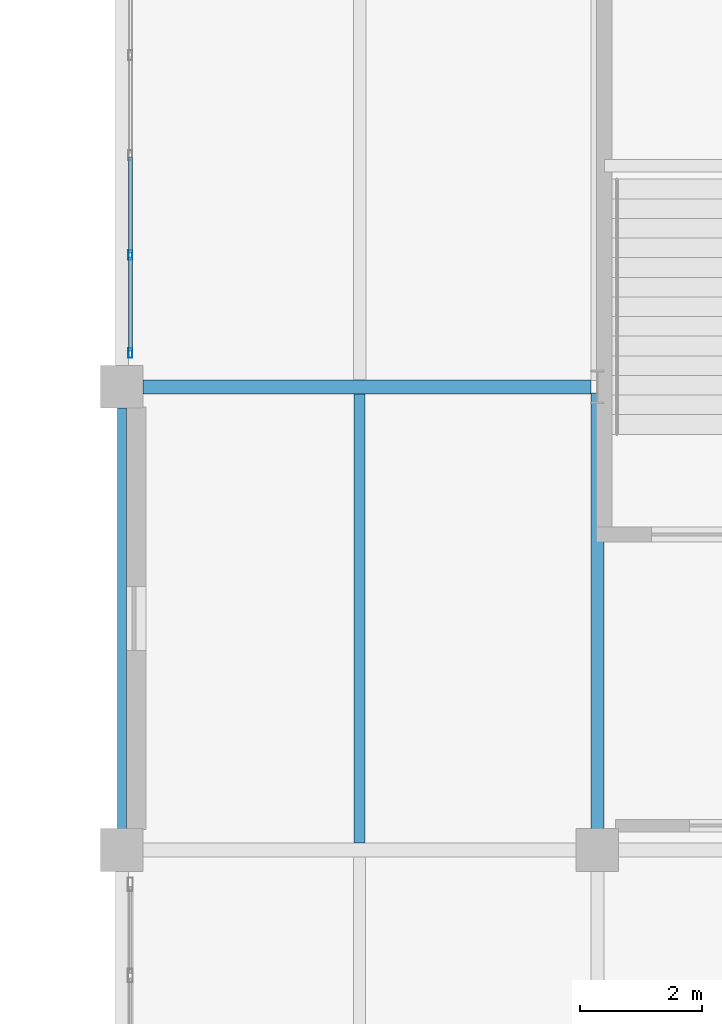
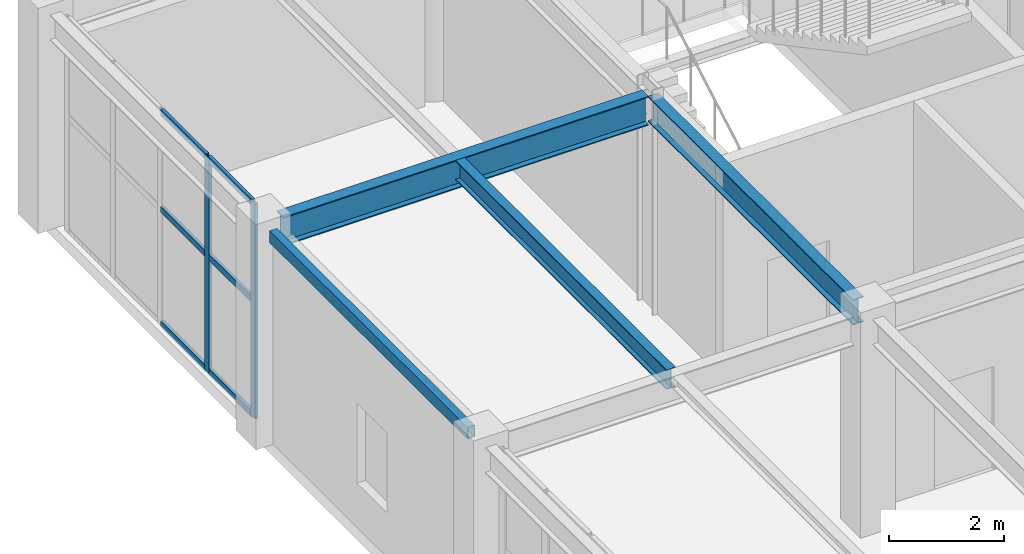
# One storey, part 35 of 72: 8 members, 4 beams, 1 element without a shape of its own.
"""IFC4 building model written with IfcOpenShell, lengths in metres."""

from ifc_helpers import new_model, si_unit, direction, frame, origin, origin_2d, place, context, subcontext, project, spatial, hollow_rectangle, i_section, extrude, material, layer, layer_set, material_profile, profile_set, type_object, element, aggregate, save


model = new_model("IFC4")

# Units and contexts
model_context = context("Model", 3, precision=1e-05, world=origin(), true_north=direction((0.0, 1.0)))
body_context = subcontext(model_context, "Body", "Model", "MODEL_VIEW")
ifc_project = project(units=[si_unit("LENGTHUNIT", "METRE"), si_unit("AREAUNIT", "SQUARE_METRE"), si_unit("VOLUMEUNIT", "CUBIC_METRE"), si_unit("PLANEANGLEUNIT", "RADIAN"), si_unit("MASSUNIT", "GRAM", prefix="KILO")], contexts=[model_context])

# Site, building, storey
site_placement = place(None, origin())
site = spatial("IfcSite", under=ifc_project, at=site_placement, CompositionType="ELEMENT")
building_placement = place(site_placement, origin())
building = spatial("IfcBuilding", under=site, at=building_placement, Name="Xicomal Pleat Aquarium", CompositionType="ELEMENT")
storey_placement = place(building_placement, frame((0.0, 0.0, 10.5)))
storey = spatial("IfcBuildingStorey", under=building, at=storey_placement, Name="L03", CompositionType="ELEMENT", Elevation=10.5)

# Beams
ifc_material_1 = material(Name="Structural steel A992 Gr 50", Category="steel")
ifc_material_profile_1 = material_profile(ifc_material_1, i_section(OverallWidth=0.180908203125, OverallDepth=0.4169921875, WebThickness=0.010986328125, FlangeThickness=0.018310546875, at=origin_2d()), Name="IR 410x85")
ifc_profile_set_1 = profile_set([ifc_material_profile_1], Name="Structural steel A992 Gr 50")
beam_type_1 = type_object("IfcBeamType", Name="BM-STL-IR410", PredefinedType="JOIST", material=ifc_profile_set_1)
beam_1_placement = place(storey_placement, frame((137.699951171875, 15.318115234375, 4.366455078125), z_axis=(0.0, 1.0, 0.0), x_axis=(-1.0, 0.0, 0.0)))
element("IfcBeam", 1, at=beam_1_placement, inside=storey, type_object=beam_type_1, Name="L03 framing beam FBJ-L03-17-C-1", PredefinedType="JOIST", context=body_context, shape_type="SweptSolid", body=[
    extrude(i_section(OverallWidth=0.180908203125, OverallDepth=0.4169921875, WebThickness=0.010986328125, FlangeThickness=0.018310546875, at=origin_2d()), origin(), (0.0, 0.0, 1.0), 7.36376953125),
])
ifc_material_2 = material(Name="Structural steel A992 Gr 50", Category="steel")
ifc_material_profile_2 = material_profile(ifc_material_2, i_section(OverallWidth=0.2119140625, OverallDepth=0.5439453125, WebThickness=0.01318359375, FlangeThickness=0.021240234375, at=origin_2d()), Name="IR 530x123")
ifc_profile_set_2 = profile_set([ifc_material_profile_2], Name="Structural steel A992 Gr 50")
beam_type_2 = type_object("IfcBeamType", Name="BM-STL-IR530", PredefinedType="BEAM", material=ifc_profile_set_2)
beam_2_placement = place(storey_placement, frame((141.60009765625, 15.544921875, 4.302978515625), z_axis=(0.0, 1.0, 0.0), x_axis=(-1.0, 0.0, 0.0)))
element("IfcBeam", 2, at=beam_2_placement, inside=storey, type_object=beam_type_2, Name="L03 framing beam FGY-L03-18-C-D", PredefinedType="BEAM", context=body_context, shape_type="SweptSolid", body=[
    extrude(i_section(OverallWidth=0.2119140625, OverallDepth=0.5439453125, WebThickness=0.01318359375, FlangeThickness=0.021240234375, at=origin_2d()), origin(), (0.0, 0.0, 1.0), 7.154052734375),
])
ifc_material_3 = material(Name="Structural steel A992 Gr 50", Category="steel")
ifc_material_profile_3 = material_profile(ifc_material_3, i_section(OverallWidth=0.22998046875, OverallDepth=0.616943359375, WebThickness=0.01318359375, FlangeThickness=0.022216796875, at=origin_2d()), Name="IR 610x140")
ifc_profile_set_3 = profile_set([ifc_material_profile_3], Name="Structural steel A992 Gr 50")
beam_type_3 = type_object("IfcBeamType", Name="BM-STL-IR610", PredefinedType="BEAM", material=ifc_profile_set_3)
beam_3_placement = place(storey_placement, frame((134.14501953125, 22.800048828125, 4.2666015625), z_axis=(1.0, 0.0, 0.0), x_axis=(0.0, 1.0, 0.0)))
element("IfcBeam", 3, at=beam_3_placement, inside=storey, type_object=beam_type_3, Name="L03 framing beam FGX-L03-17-18-D", PredefinedType="BEAM", context=body_context, shape_type="SweptSolid", body=[
    extrude(i_section(OverallWidth=0.22998046875, OverallDepth=0.616943359375, WebThickness=0.01318359375, FlangeThickness=0.022216796875, at=origin_2d()), origin(), (0.0, 0.0, 1.0), 7.35400390625),
])
ifc_material_4 = material(Name="Structural steel A500 Gr C", Category="steel")
ifc_material_profile_4 = material_profile(ifc_material_4, hollow_rectangle(XDim=0.14990234375, YDim=0.25, WallThickness=0.010009765625, at=origin_2d()), Name="OR 250x150x10")
ifc_profile_set_4 = profile_set([ifc_material_profile_4], Name="Structural steel A500 Gr C")
beam_type_4 = type_object("IfcBeamType", Name="BM-STL-OR250", PredefinedType="SPANDREL", material=ifc_profile_set_4)
beam_4_placement = place(storey_placement, frame((133.800048828125, 15.544921875, 4.449951171875), z_axis=(0.0, 1.0, 0.0), x_axis=(-1.0, 0.0, 0.0)))
element("IfcBeam", 4, at=beam_4_placement, inside=storey, type_object=beam_type_4, Name="L03 framing beam FGY-L03-17-C-D", PredefinedType="SPANDREL", context=body_context, shape_type="SweptSolid", body=[
    extrude(hollow_rectangle(XDim=0.14990234375, YDim=0.25, WallThickness=0.010009765625, at=origin_2d()), origin(), (0.0, 0.0, 1.0), 6.91015625),
])

# Curtain wall, members
ifc_material_5 = material(Name="Bronze anodized aluminium 6063-T6", Category="aluminium")
ifc_layer = layer(ifc_material_5, 0.159912109375)
ifc_layer_set = layer_set([ifc_layer], Name="Bronze anodized aluminium 6063-T6")
curtain_wall_type = type_object("IfcCurtainWallType", Name="CW-SYS-03", PredefinedType="NOTDEFINED", material=ifc_layer_set)
curtain_wall_placement = place(storey_placement, origin())
curtain_wall = element("IfcCurtainWall", 5, at=curtain_wall_placement, inside=storey, type_object=curtain_wall_type, Name="L03 unitised curtain wall CW-L03-150", PredefinedType="NOTDEFINED")
ifc_material_6 = material(Name="Bronze anodized aluminium 6063-T6", Category="aluminium")
ifc_material_profile_5 = material_profile(ifc_material_6, hollow_rectangle(XDim=0.06494140625, YDim=0.159912109375, WallThickness=0.00390625, at=origin_2d()), Name="ALU MULL 65x160")
ifc_profile_set_5 = profile_set([ifc_material_profile_5], Name="Bronze anodized aluminium 6063-T6")
member_type_1 = type_object("IfcMemberType", Name="CWM-65x160", PredefinedType="MULLION", material=ifc_profile_set_5)
member_1_placement = place(storey_placement, frame((133.93994140625, 23.3525390625, 0.0), z_axis=(0.0, 0.0, 1.0), x_axis=(-1.0, 0.0, 0.0)))
member_1 = element("IfcMember", 6, at=member_1_placement, type_object=member_type_1, Name="CW-03 mullion 1", PredefinedType="MULLION", context=body_context, shape_type="SweptSolid", body=[
    extrude(hollow_rectangle(XDim=0.06494140625, YDim=0.159912109375, WallThickness=0.00390625, at=origin_2d()), origin(), (0.0, 0.0, 1.0), 4.574951171875),
])
member_2_placement = place(storey_placement, frame((133.93994140625, 24.9599609375, 0.0), z_axis=(0.0, 0.0, 1.0), x_axis=(-1.0, 0.0, 0.0)))
member_2 = element("IfcMember", 7, at=member_2_placement, type_object=member_type_1, Name="CW-03 mullion 2", PredefinedType="MULLION", context=body_context, shape_type="SweptSolid", body=[
    extrude(hollow_rectangle(XDim=0.06494140625, YDim=0.159912109375, WallThickness=0.00390625, at=origin_2d()), origin(), (0.0, 0.0, 1.0), 4.574951171875),
])
ifc_material_7 = material(Name="Bronze anodized aluminium 6063-T6", Category="aluminium")
ifc_material_profile_6 = material_profile(ifc_material_7, hollow_rectangle(XDim=0.06494140625, YDim=0.1298828125, WallThickness=0.00390625, at=origin_2d()), Name="ALU TRAN 65x130")
ifc_profile_set_6 = profile_set([ifc_material_profile_6], Name="Bronze anodized aluminium 6063-T6")
member_type_2 = type_object("IfcMemberType", Name="CWT-65x130", PredefinedType="USERDEFINED", material=ifc_profile_set_6)
member_3_placement = place(storey_placement, frame((133.93994140625, 23.385009765625, 0.032470703125), z_axis=(0.0, 1.0, 0.0), x_axis=(-1.0, 0.0, 0.0)))
member_3 = element("IfcMember", 8, at=member_3_placement, type_object=member_type_2, Name="CW-03 transom 1.1", ObjectType="TRANSOM", PredefinedType="USERDEFINED", context=body_context, shape_type="SweptSolid", body=[
    extrude(hollow_rectangle(XDim=0.06494140625, YDim=0.1298828125, WallThickness=0.00390625, at=origin_2d()), origin(), (0.0, 0.0, 1.0), 1.54248046875),
])
member_4_placement = place(storey_placement, frame((133.93994140625, 23.385009765625, 2.469970703125), z_axis=(0.0, 1.0, 0.0), x_axis=(-1.0, 0.0, 0.0)))
member_4 = element("IfcMember", 9, at=member_4_placement, type_object=member_type_2, Name="CW-03 transom 1.2", ObjectType="TRANSOM", PredefinedType="USERDEFINED", context=body_context, shape_type="SweptSolid", body=[
    extrude(hollow_rectangle(XDim=0.06494140625, YDim=0.1298828125, WallThickness=0.00390625, at=origin_2d()), origin(), (0.0, 0.0, 1.0), 1.54248046875),
])
member_5_placement = place(storey_placement, frame((133.93994140625, 23.385009765625, 4.54248046875), z_axis=(0.0, 1.0, 0.0), x_axis=(-1.0, 0.0, 0.0)))
member_5 = element("IfcMember", 10, at=member_5_placement, type_object=member_type_2, Name="CW-03 transom 1.3", ObjectType="TRANSOM", PredefinedType="USERDEFINED", context=body_context, shape_type="SweptSolid", body=[
    extrude(hollow_rectangle(XDim=0.06494140625, YDim=0.1298828125, WallThickness=0.00390625, at=origin_2d()), origin(), (0.0, 0.0, 1.0), 1.54248046875),
])
member_6_placement = place(storey_placement, frame((133.93994140625, 24.992431640625, 0.032470703125), z_axis=(0.0, 1.0, 0.0), x_axis=(-1.0, 0.0, 0.0)))
member_6 = element("IfcMember", 11, at=member_6_placement, type_object=member_type_2, Name="CW-03 transom 2.1", ObjectType="TRANSOM", PredefinedType="USERDEFINED", context=body_context, shape_type="SweptSolid", body=[
    extrude(hollow_rectangle(XDim=0.06494140625, YDim=0.1298828125, WallThickness=0.00390625, at=origin_2d()), origin(), (0.0, 0.0, 1.0), 1.574951171875),
])
member_7_placement = place(storey_placement, frame((133.93994140625, 24.992431640625, 2.469970703125), z_axis=(0.0, 1.0, 0.0), x_axis=(-1.0, 0.0, 0.0)))
member_7 = element("IfcMember", 12, at=member_7_placement, type_object=member_type_2, Name="CW-03 transom 2.2", ObjectType="TRANSOM", PredefinedType="USERDEFINED", context=body_context, shape_type="SweptSolid", body=[
    extrude(hollow_rectangle(XDim=0.06494140625, YDim=0.1298828125, WallThickness=0.00390625, at=origin_2d()), origin(), (0.0, 0.0, 1.0), 1.574951171875),
])
member_8_placement = place(storey_placement, frame((133.93994140625, 24.992431640625, 4.54248046875), z_axis=(0.0, 1.0, 0.0), x_axis=(-1.0, 0.0, 0.0)))
member_8 = element("IfcMember", 13, at=member_8_placement, type_object=member_type_2, Name="CW-03 transom 2.3", ObjectType="TRANSOM", PredefinedType="USERDEFINED", context=body_context, shape_type="SweptSolid", body=[
    extrude(hollow_rectangle(XDim=0.06494140625, YDim=0.1298828125, WallThickness=0.00390625, at=origin_2d()), origin(), (0.0, 0.0, 1.0), 1.574951171875),
])
aggregate(curtain_wall, [member_1, member_2, member_3, member_4, member_5, member_6, member_7, member_8])

save(model, "model.ifc")
